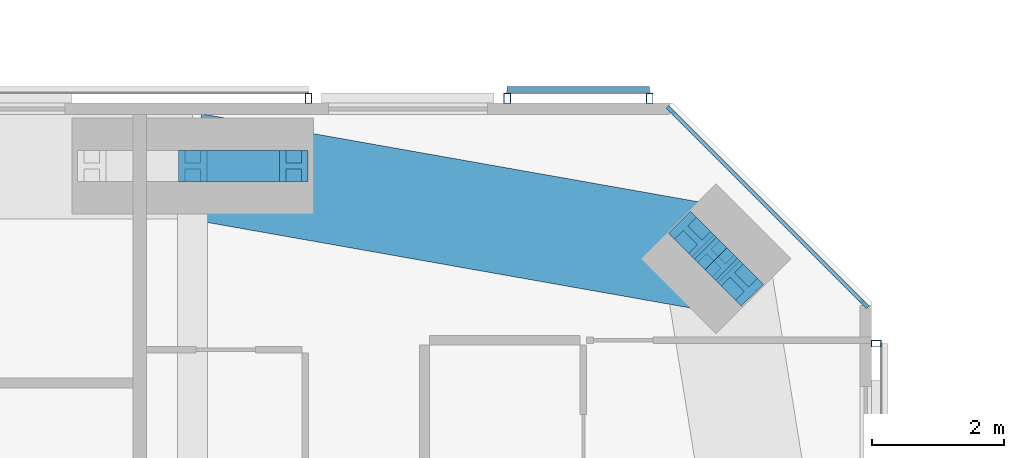
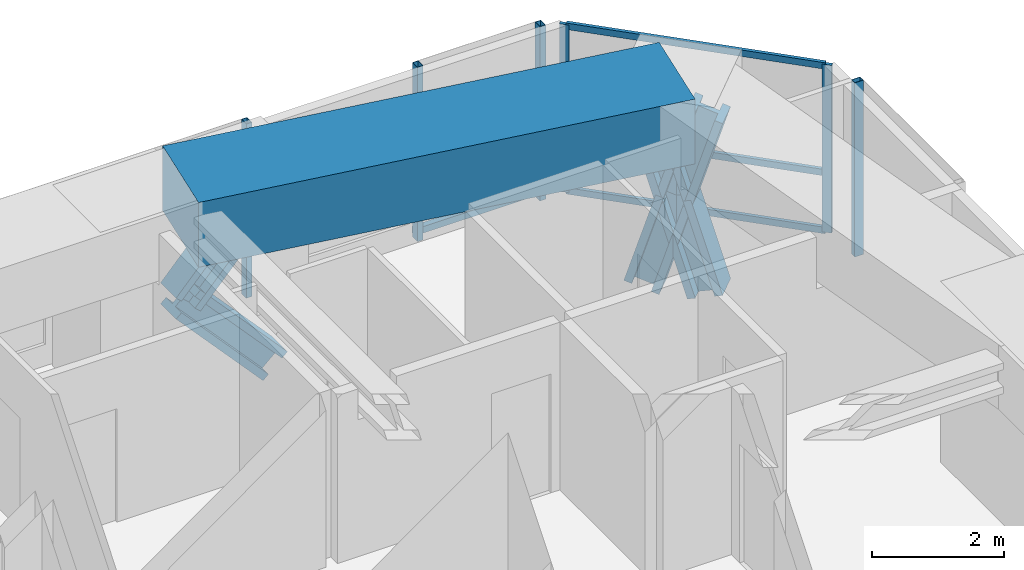
# One storey, part 14 of 23: 16 members, 1 beam, 4 elements without a shape of their own.
"""IFC4 building model written with IfcOpenShell, lengths in metres."""

from ifc_helpers import new_model, si_unit, direction, frame, origin, origin_2d, place, context, subcontext, project, spatial, rectangle, hollow_rectangle, i_section, extrude, material, material_profile, profile_set, type_object, element, aggregate, save


model = new_model("IFC4")

# Units and contexts
model_context = context("Model", 3, precision=1e-05, world=origin(), true_north=direction((0.0, 1.0)))
body_context = subcontext(model_context, "Body", "Model", "MODEL_VIEW")
ifc_project = project(units=[si_unit("LENGTHUNIT", "METRE"), si_unit("AREAUNIT", "SQUARE_METRE"), si_unit("VOLUMEUNIT", "CUBIC_METRE"), si_unit("PLANEANGLEUNIT", "RADIAN"), si_unit("MASSUNIT", "GRAM", prefix="KILO")], contexts=[model_context])

# Site, building, storey
site_placement = place(None, origin())
site = spatial("IfcSite", under=ifc_project, at=site_placement, CompositionType="ELEMENT")
building_placement = place(site_placement, origin())
building = spatial("IfcBuilding", under=site, at=building_placement, Name="Jalousie Tower", CompositionType="ELEMENT")
storey_placement = place(building_placement, frame((0.0, 0.0, 191.199951171875)))
storey = spatial("IfcBuildingStorey", under=building, at=storey_placement, Name="L52", CompositionType="ELEMENT", Elevation=191.199951171875)

# Curtain wall, members
ifc_material_1 = material(Name="Aluminium curtain wall", Category="aluminium")
curtain_wall_type_1 = type_object("IfcCurtainWallType", Name="CORNER WINDOW WALL", PredefinedType="USERDEFINED", material=ifc_material_1)
curtain_wall_1_placement = place(storey_placement, origin())
curtain_wall_1 = element("IfcCurtainWall", 1, at=curtain_wall_1_placement, inside=storey, type_object=curtain_wall_type_1, Name="Corner Window Wall L52 4", ObjectType="CORNER WINDOW WALL", PredefinedType="USERDEFINED")
ifc_material_2 = material(Name="Aluminium mullion", Category="aluminium")
ifc_material_profile_1 = material_profile(ifc_material_2, rectangle(XDim=0.06005859375, YDim=0.14990234375, at=origin_2d()), Name="MULLION 60x150")
ifc_profile_set_1 = profile_set([ifc_material_profile_1], Name="Aluminium mullion")
member_type_1 = type_object("IfcMemberType", Name="CORNER WINDOW WALL MULLION", PredefinedType="MULLION", material=ifc_profile_set_1)
member_1_placement = place(storey_placement, frame((52.891357421875, 32.969970703125, 0.0), z_axis=(0.0, 0.0, 1.0), x_axis=(-0.707106781187, -0.707106781187, 0.0)))
member_1 = element("IfcMember", 2, at=member_1_placement, type_object=member_type_1, Name="CW-C mullion 1", PredefinedType="MULLION", context=body_context, shape_type="SweptSolid", body=[
    extrude(rectangle(XDim=0.06005859375, YDim=0.14990234375, at=origin_2d()), origin(), (0.0, 0.0, 1.0), 3.110107421875),
])
member_2_placement = place(storey_placement, frame((49.969970703125, 35.891357421875, 0.0), z_axis=(0.0, 0.0, 1.0), x_axis=(-0.707106781187, -0.707106781187, 0.0)))
member_2 = element("IfcMember", 3, at=member_2_placement, type_object=member_type_1, Name="CW-C mullion 2", PredefinedType="MULLION", context=body_context, shape_type="SweptSolid", body=[
    extrude(rectangle(XDim=0.06005859375, YDim=0.14990234375, at=origin_2d()), origin(), (0.0, 0.0, 1.0), 3.110107421875),
])
ifc_material_3 = material(Name="Aluminium transom", Category="aluminium")
ifc_material_profile_2 = material_profile(ifc_material_3, rectangle(XDim=0.06005859375, YDim=0.1201171875, at=origin_2d()), Name="TRANSOM 60x120")
ifc_profile_set_2 = profile_set([ifc_material_profile_2], Name="Aluminium transom")
member_type_2 = type_object("IfcMemberType", Name="CORNER WINDOW WALL TRANSOM", PredefinedType="USERDEFINED", material=ifc_profile_set_2)
member_3_placement = place(storey_placement, frame((52.8701171875, 32.9912109375, 0.030029296875), z_axis=(-0.707106781187, 0.707106781187, 0.0), x_axis=(-0.707106781187, -0.707106781187, 0.0)))
member_3 = element("IfcMember", 4, at=member_3_placement, type_object=member_type_2, Name="CW-C transom 1.1", ObjectType="TRANSOM", PredefinedType="USERDEFINED", context=body_context, shape_type="SweptSolid", body=[
    extrude(rectangle(XDim=0.06005859375, YDim=0.1201171875, at=origin_2d()), origin(), (0.0, 0.0, 1.0), 4.0712890625),
])
member_4_placement = place(storey_placement, frame((52.8701171875, 32.9912109375, 1.10009765625), z_axis=(-0.707106781187, 0.707106781187, 0.0), x_axis=(-0.707106781187, -0.707106781187, 0.0)))
member_4 = element("IfcMember", 5, at=member_4_placement, type_object=member_type_2, Name="CW-C transom 1.2", ObjectType="TRANSOM", PredefinedType="USERDEFINED", context=body_context, shape_type="SweptSolid", body=[
    extrude(rectangle(XDim=0.06005859375, YDim=0.1201171875, at=origin_2d()), origin(), (0.0, 0.0, 1.0), 4.0712890625),
])
member_5_placement = place(storey_placement, frame((52.8701171875, 32.9912109375, 3.080078125), z_axis=(-0.707106781187, 0.707106781187, 0.0), x_axis=(-0.707106781187, -0.707106781187, 0.0)))
member_5 = element("IfcMember", 6, at=member_5_placement, type_object=member_type_2, Name="CW-C transom 1.3", ObjectType="TRANSOM", PredefinedType="USERDEFINED", context=body_context, shape_type="SweptSolid", body=[
    extrude(rectangle(XDim=0.06005859375, YDim=0.1201171875, at=origin_2d()), origin(), (0.0, 0.0, 1.0), 4.0712890625),
])
aggregate(curtain_wall_1, [member_1, member_2, member_3, member_4, member_5])

# Members
ifc_material_4 = material(Name="Steel ASTM A992 Grade 50", Category="steel")
ifc_material_profile_3 = material_profile(ifc_material_4, i_section(OverallWidth=0.472412109375, OverallDepth=0.5791015625, WebThickness=0.094970703125, FlangeThickness=0.1298828125, at=origin_2d()), Name="W14X808")
ifc_profile_set_3 = profile_set([ifc_material_profile_3], Name="Steel ASTM A992 Grade 50")
member_type_3 = type_object("IfcMemberType", Name="PERIMETER BRACE W14X808", PredefinedType="BRACE", material=ifc_profile_set_3)
member_6_placement = place(storey_placement, frame((51.0048828125, 33.2978515625, -0.599853515625), z_axis=(-0.202119792263, 0.202399156177, 0.958218227313), x_axis=(-0.707594945859, -0.706618279267, 0.0)))
element("IfcMember", 7, at=member_6_placement, inside=storey, type_object=member_type_3, Name="Perimeter brace 08 L52 part 1", PredefinedType="BRACE", context=body_context, shape_type="SweptSolid", body=[
    extrude(i_section(OverallWidth=0.472412109375, OverallDepth=0.5791015625, WebThickness=0.094970703125, FlangeThickness=0.1298828125, at=origin_2d()), origin(), (0.0, 0.0, 1.0), 1.747802734375),
])
member_7_placement = place(storey_placement, frame((50.651611328125, 33.651611328125, 1.074951171875), z_axis=(-0.202372069365, 0.202092742837, 0.958229653493), x_axis=(-0.706618279267, -0.707594945859, 0.0)))
element("IfcMember", 8, at=member_7_placement, inside=storey, type_object=member_type_3, Name="Perimeter brace 08 L52 part 2", PredefinedType="BRACE", context=body_context, shape_type="SweptSolid", body=[
    extrude(i_section(OverallWidth=0.472412109375, OverallDepth=0.5791015625, WebThickness=0.094970703125, FlangeThickness=0.1298828125, at=origin_2d()), origin(), (0.0, 0.0, 1.0), 1.748046875),
])
member_8_placement = place(storey_placement, frame((50.2978515625, 34.0048828125, -0.599853515625), z_axis=(0.202399156177, -0.202119792263, 0.958218227313), x_axis=(0.706618279267, 0.707594945859, 0.0)))
element("IfcMember", 9, at=member_8_placement, inside=storey, type_object=member_type_3, Name="Perimeter brace 08 L52 part 3", PredefinedType="BRACE", context=body_context, shape_type="SweptSolid", body=[
    extrude(i_section(OverallWidth=0.472412109375, OverallDepth=0.5791015625, WebThickness=0.094970703125, FlangeThickness=0.1298828125, at=origin_2d()), origin(), (0.0, 0.0, 1.0), 1.747802734375),
])
member_9_placement = place(storey_placement, frame((50.651611328125, 33.651611328125, 1.074951171875), z_axis=(0.202092742837, -0.202372069365, 0.958229653493), x_axis=(0.707594945859, 0.706618279267, 0.0)))
element("IfcMember", 10, at=member_9_placement, inside=storey, type_object=member_type_3, Name="Perimeter brace 08 L52 part 4", PredefinedType="BRACE", context=body_context, shape_type="SweptSolid", body=[
    extrude(i_section(OverallWidth=0.472412109375, OverallDepth=0.5791015625, WebThickness=0.094970703125, FlangeThickness=0.1298828125, at=origin_2d()), origin(), (0.0, 0.0, 1.0), 1.748046875),
])
for number, where, z_axis, x_axis, name in (
    (11, (42.75, 35.050048828125, 1.074951171875), (0.673187629365, 0.0, 0.739471713908), (0.0, 1.0, 0.0), "Perimeter brace 09 L52 part 2"),
    (12, (44.27490234375, 35.050048828125, -0.599853515625), (-0.673241284601, 0.0, 0.739422864611), (0.0, -1.0, 0.0), "Perimeter brace 09 L52 part 3"),
):
    element("IfcMember", number, at=place(storey_placement, frame(where, z_axis=z_axis, x_axis=x_axis)), inside=storey, type_object=member_type_3, Name=name, PredefinedType="BRACE", context=body_context, shape_type="SweptSolid", body=[
        extrude(i_section(OverallWidth=0.472412109375, OverallDepth=0.5791015625, WebThickness=0.094970703125, FlangeThickness=0.1298828125, at=origin_2d()), origin(), (0.0, 0.0, 1.0), 2.26513671875),
    ])

# Beam
ifc_material_5 = material(Name="Concrete f'c 40 MPa", Category="concrete")
ifc_material_profile_4 = material_profile(ifc_material_5, rectangle(XDim=1.60009765625, YDim=1.199951171875, at=origin_2d()), Name="RC 1600x1200")
ifc_profile_set_4 = profile_set([ifc_material_profile_4], Name="Concrete f'c 40 MPa")
beam_type = type_object("IfcBeamType", Name="RC BEAM 1600x1200", PredefinedType="BEAM", material=ifc_profile_set_4)
beam_placement = place(storey_placement, frame((50.651611328125, 33.651611328125, 2.75), z_axis=(-0.984697370688, 0.174273027632, 0.0), x_axis=(-0.174273027632, -0.984697370688, 0.0)))
element("IfcBeam", 13, at=beam_placement, inside=storey, type_object=beam_type, Name="Edge band beam 08-09 under L53", PredefinedType="BEAM", context=body_context, shape_type="SweptSolid", body=[
    extrude(rectangle(XDim=1.60009765625, YDim=1.199951171875, at=origin_2d()), origin(), (0.0, 0.0, 1.0), 8.0244140625),
])

# Curtain wall, member
ifc_material_6 = material(Name="Perforated aluminium sheet", Category="aluminium")
curtain_wall_type_2 = type_object("IfcCurtainWallType", Name="SOLAR SCREEN SS-1", PredefinedType="USERDEFINED", material=ifc_material_6)
curtain_wall_2_placement = place(storey_placement, origin())
curtain_wall_2 = element("IfcCurtainWall", 14, at=curtain_wall_2_placement, inside=storey, type_object=curtain_wall_type_2, Name="Solar screen L52", ObjectType="SOLAR SCREEN SS-1", PredefinedType="USERDEFINED")
ifc_material_7 = material(Name="Steel ASTM A500 Grade C", Category="steel")
ifc_material_profile_5 = material_profile(ifc_material_7, hollow_rectangle(XDim=0.1015625, YDim=0.15234375, WallThickness=0.00634765625, at=origin_2d()), Name="HSS6X4X1/4")
ifc_profile_set_5 = profile_set([ifc_material_profile_5], Name="Steel ASTM A500 Grade C")
member_type_4 = type_object("IfcMemberType", Name="SOLAR SCREEN SS-1 MULLION", PredefinedType="MULLION", material=ifc_profile_set_5)
member_10_placement = place(storey_placement, frame((53.0712890625, 32.3701171875, -0.119873046875), z_axis=(0.0, 0.0, 1.0), x_axis=(0.0, 1.0, 0.0)))
member_10 = element("IfcMember", 15, at=member_10_placement, type_object=member_type_4, Name="SS1 post 2", PredefinedType="MULLION", context=body_context, shape_type="SweptSolid", body=[
    extrude(hollow_rectangle(XDim=0.1015625, YDim=0.15234375, WallThickness=0.00634765625, at=origin_2d()), origin(), (0.0, 0.0, 1.0), 3.22998046875),
])
aggregate(curtain_wall_2, [member_10])

# Curtain wall, members
curtain_wall_3_placement = place(storey_placement, origin())
curtain_wall_3 = element("IfcCurtainWall", 16, at=curtain_wall_3_placement, inside=storey, type_object=curtain_wall_type_2, Name="Solar screen L52", ObjectType="SOLAR SCREEN SS-1", PredefinedType="USERDEFINED")
member_11_placement = place(storey_placement, frame((49.648681640625, 36.0712890625, -0.119873046875), z_axis=(0.0, 0.0, 1.0), x_axis=(-1.0, 0.0, 0.0)))
member_11 = element("IfcMember", 17, at=member_11_placement, type_object=member_type_4, Name="SS1 post 1", PredefinedType="MULLION", context=body_context, shape_type="SweptSolid", body=[
    extrude(hollow_rectangle(XDim=0.1015625, YDim=0.15234375, WallThickness=0.00634765625, at=origin_2d()), origin(), (0.0, 0.0, 1.0), 3.22998046875),
])
member_12_placement = place(storey_placement, frame((47.499267578125, 36.0712890625, -0.119873046875), z_axis=(0.0, 0.0, 1.0), x_axis=(-1.0, 0.0, 0.0)))
member_12 = element("IfcMember", 18, at=member_12_placement, type_object=member_type_4, Name="SS1 post 2", PredefinedType="MULLION", context=body_context, shape_type="SweptSolid", body=[
    extrude(hollow_rectangle(XDim=0.1015625, YDim=0.15234375, WallThickness=0.00634765625, at=origin_2d()), origin(), (0.0, 0.0, 1.0), 3.22998046875),
])

# Curtain wall, member
curtain_wall_4_placement = place(storey_placement, origin())
curtain_wall_4 = element("IfcCurtainWall", 19, at=curtain_wall_4_placement, inside=storey, type_object=curtain_wall_type_2, Name="Solar screen L52", ObjectType="SOLAR SCREEN SS-1", PredefinedType="USERDEFINED")
member_13_placement = place(storey_placement, frame((44.499267578125, 36.0712890625, -0.119873046875), z_axis=(0.0, 0.0, 1.0), x_axis=(-1.0, 0.0, 0.0)))
member_13 = element("IfcMember", 20, at=member_13_placement, type_object=member_type_4, Name="SS1 post 1", PredefinedType="MULLION", context=body_context, shape_type="SweptSolid", body=[
    extrude(hollow_rectangle(XDim=0.1015625, YDim=0.15234375, WallThickness=0.00634765625, at=origin_2d()), origin(), (0.0, 0.0, 1.0), 3.22998046875),
])
aggregate(curtain_wall_4, [member_13])

# Member
ifc_material_8 = material(Name="Extruded aluminium screen rail", Category="aluminium")
ifc_material_profile_6 = material_profile(ifc_material_8, rectangle(XDim=0.1015625, YDim=0.1201171875, at=origin_2d()), Name="RAIL 102x120")
ifc_profile_set_6 = profile_set([ifc_material_profile_6], Name="Extruded aluminium screen rail")
member_type_5 = type_object("IfcMemberType", Name="SOLAR SCREEN SS-1 TRANSOM", PredefinedType="USERDEFINED", material=ifc_profile_set_6)
member_14_placement = place(storey_placement, frame((49.648681640625, 36.1982421875, -0.06005859375), z_axis=(-1.0, 0.0, 0.0), x_axis=(0.0, -1.0, 0.0)))
member_14 = element("IfcMember", 21, at=member_14_placement, type_object=member_type_5, Name="SS1 rail", ObjectType="TRANSOM", PredefinedType="USERDEFINED", context=body_context, shape_type="SweptSolid", body=[
    extrude(rectangle(XDim=0.1015625, YDim=0.1201171875, at=origin_2d()), origin(), (0.0, 0.0, 1.0), 2.1494140625),
])

aggregate(curtain_wall_3, [member_11, member_12, member_14])

save(model, "model.ifc")
